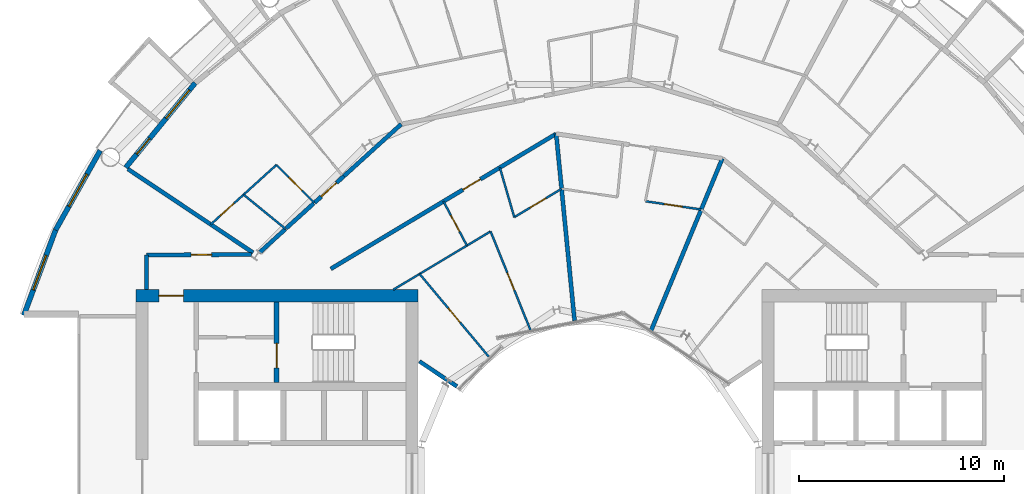
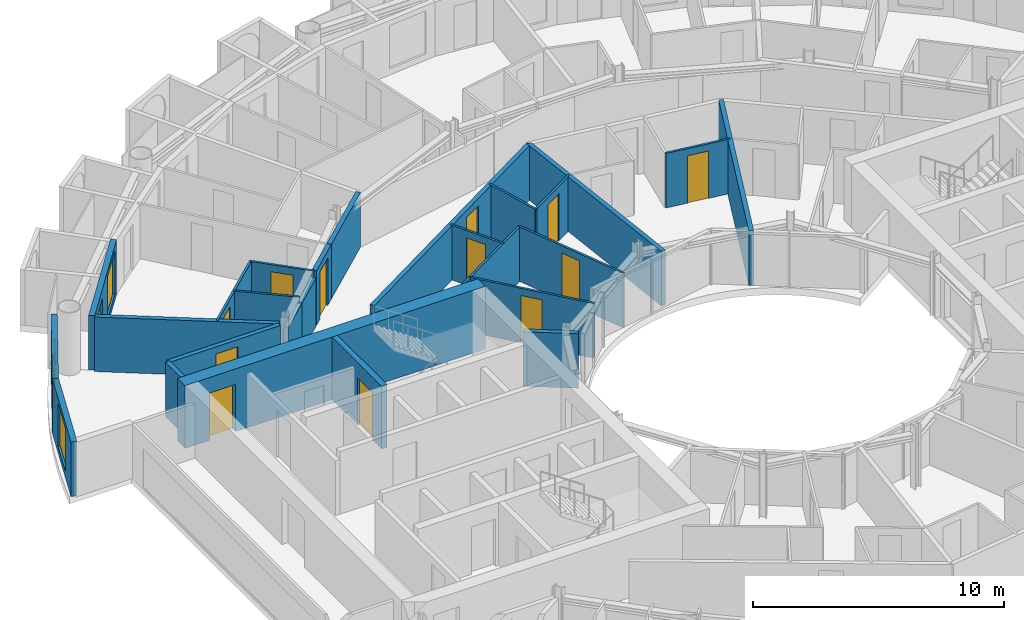
# One storey, part 19 of 27: 26 walls, 13 doors, 3 windows, 16 openings.
"""IFC4 building model written with IfcOpenShell, lengths in metres."""

from ifc_helpers import new_model, si_unit, direction, frame, frame_2d, origin, place, context, subcontext, project, spatial, rectangle, extrude, material, layer, layer_set, type_object, element, fill, save


model = new_model("IFC4")

# Units and contexts
model_context = context("Model", 3, precision=1e-05, world=origin(), true_north=direction((0.0, 1.0)))
body_context = subcontext(model_context, "Body", "Model", "MODEL_VIEW")
ifc_project = project(units=[si_unit("LENGTHUNIT", "METRE"), si_unit("AREAUNIT", "SQUARE_METRE"), si_unit("VOLUMEUNIT", "CUBIC_METRE"), si_unit("PLANEANGLEUNIT", "RADIAN"), si_unit("MASSUNIT", "GRAM", prefix="KILO")], contexts=[model_context])

# Site, building, storey
site_placement = place(None, origin())
site = spatial("IfcSite", under=ifc_project, at=site_placement, CompositionType="ELEMENT")
building_placement = place(site_placement, origin())
building = spatial("IfcBuilding", under=site, at=building_placement, Name="Maasbend Ring Residences", CompositionType="ELEMENT")
storey_placement = place(building_placement, frame((0.0, 0.0, 136.050048828125)))
storey = spatial("IfcBuildingStorey", under=building, at=storey_placement, Name="L39", CompositionType="ELEMENT", Elevation=136.050048828125)

# Wall, opening, door
ifc_material_1 = material(Name="Concrete C60/75", Category="concrete")
ifc_layer_1 = layer(ifc_material_1, 0.25)
ifc_layer_set_1 = layer_set([ifc_layer_1], Name="Concrete C60/75")
wall_type_1 = type_object("IfcWallType", Name="CORE WALL 250 C60/75", PredefinedType="SHEAR", material=ifc_layer_set_1)
wall_1_placement = place(storey_placement, frame((-15.324951171875, 8.60009765625, 0.0), z_axis=(0.0, 0.0, 1.0), x_axis=(0.0, -1.0, 0.0)))
wall_1 = element("IfcWall", 1, at=wall_1_placement, inside=storey, type_object=wall_type_1, Name="L39 core W wall STES", PredefinedType="SHEAR", context=body_context, shape_type="SweptSolid", body=[
    extrude(rectangle(XDim=3.9501953125, YDim=0.25, at=frame_2d((1.97509765625, 0.0))), origin(), (0.0, 0.0, 1.0), 3.050048828125),
])
opening_1_placement = place(wall_1_placement, frame((2.02490234375, 0.0, 0.0)))
opening_1 = element("IfcOpeningElement", 2, at=opening_1_placement, cuts=wall_1, Name="Opening D-W3908", PredefinedType="OPENING", context=body_context, shape_type="SweptSolid", body=[
    extrude(rectangle(XDim=1.199951171875, YDim=2.300048828125, at=frame_2d((0.60009765625, 1.14990234375))), frame((0.0, 0.135009765625, 0.0), z_axis=(0.0, -1.0, 0.0), x_axis=(1.0, 0.0, 0.0)), (0.0, 0.0, 1.0), 0.27001953125),
])
ifc_material_2 = material(Name="Steel, powder coated", Category="steel")
door_type_1 = type_object("IfcDoorType", Name="STAIR DOOR 1200 X 2300 FD60", OperationType="NOTDEFINED", PredefinedType="DOOR", material=ifc_material_2)
door_1_placement = place(opening_1_placement, origin())
door_1 = element("IfcDoor", 3, at=door_1_placement, inside=storey, type_object=door_type_1, Name="Stair door ST-W L39", OperationType="SINGLE_SWING_LEFT", OverallHeight=2.300048828125, OverallWidth=1.199951171875, PredefinedType="DOOR", context=body_context, shape_type="SweptSolid", body=[
    extrude(rectangle(XDim=1.199951171875, YDim=2.300048828125, at=frame_2d((0.60009765625, 1.14990234375))), frame((0.0, 0.02490234375, 0.0), z_axis=(0.0, -1.0, 0.0), x_axis=(1.0, 0.0, 0.0)), (0.0, 0.0, 1.0), 0.050048828125),
])
fill(opening_1, door_1)

ifc_material_3 = material(Name="Concrete C60/75", Category="concrete")
ifc_layer_2 = layer(ifc_material_3, 0.60009765625)
ifc_layer_set_2 = layer_set([ifc_layer_2], Name="Concrete C60/75")
wall_type_2 = type_object("IfcWallType", Name="CORE WALL 600 C60/75", PredefinedType="SHEAR", material=ifc_layer_set_2)
wall_2_placement = place(storey_placement, frame((-8.39990234375, 8.89990234375, 0.0), z_axis=(0.0, 0.0, 1.0), x_axis=(-1.0, 0.0, 0.0)))
wall_2 = element("IfcWall", 4, at=wall_2_placement, inside=storey, type_object=wall_type_2, Name="L39 core W wall PS", PredefinedType="SHEAR", context=body_context, shape_type="SweptSolid", body=[
    extrude(rectangle(XDim=13.800048828125, YDim=0.60009765625, at=frame_2d((6.89990234375, 0.0))), origin(), (0.0, 0.0, 1.0), 3.050048828125),
])
opening_2_placement = place(wall_2_placement, frame((11.47509765625, 0.0, 0.0)))
opening_2 = element("IfcOpeningElement", 5, at=opening_2_placement, cuts=wall_2, Name="Opening D-W3912", PredefinedType="OPENING", context=body_context, shape_type="SweptSolid", body=[
    extrude(rectangle(XDim=1.199951171875, YDim=2.300048828125, at=frame_2d((0.60009765625, 1.14990234375))), frame((0.0, 0.31005859375, 0.0), z_axis=(0.0, -1.0, 0.0), x_axis=(1.0, 0.0, 0.0)), (0.0, 0.0, 1.0), 0.6201171875),
])
ifc_material_4 = material(Name="Steel, powder coated", Category="steel")
door_type_2 = type_object("IfcDoorType", Name="CORRIDOR DOOR 1200 X 2300 FD30S", OperationType="NOTDEFINED", PredefinedType="DOOR", material=ifc_material_4)
door_2_placement = place(opening_2_placement, origin())
door_2 = element("IfcDoor", 6, at=door_2_placement, inside=storey, type_object=door_type_2, Name="Corridor door L39", OperationType="SINGLE_SWING_LEFT", OverallHeight=2.300048828125, OverallWidth=1.199951171875, PredefinedType="DOOR", context=body_context, shape_type="SweptSolid", body=[
    extrude(rectangle(XDim=1.199951171875, YDim=2.300048828125, at=frame_2d((0.60009765625, 1.14990234375))), frame((0.0, 0.02490234375, 0.0), z_axis=(0.0, -1.0, 0.0), x_axis=(1.0, 0.0, 0.0)), (0.0, 0.0, 1.0), 0.050048828125),
])
fill(opening_2, door_2)

ifc_material_5 = material(Name="Concrete C30/37", Category="concrete")
ifc_layer_3 = layer(ifc_material_5, 0.199951171875)
ifc_layer_set_3 = layer_set([ifc_layer_3], Name="Concrete C30/37")
wall_type_3 = type_object("IfcWallType", Name="CORRIDOR WALL 200 CONCRETE", PredefinedType="PARTITIONING", material=ifc_layer_set_3)
wall_3_placement = place(storey_placement, frame((-21.675048828125, 10.89990234375, 0.0), z_axis=(0.0, 0.0, 1.0), x_axis=(0.99999670426, 0.002567385634, 0.0)))
wall_3 = element("IfcWall", 7, at=wall_3_placement, inside=storey, type_object=wall_type_3, Name="U-L39-w098", PredefinedType="PARTITIONING", context=body_context, shape_type="SweptSolid", body=[
    extrude(rectangle(XDim=5.135009765625, YDim=0.199951171875, at=frame_2d((2.5673828125, 0.0))), origin(), (0.0, 0.0, 1.0), 2.64990234375),
])
opening_3_placement = place(wall_3_placement, frame((2.1708984375, 0.0, 0.0)))
opening_3 = element("IfcOpeningElement", 8, at=opening_3_placement, cuts=wall_3, Name="Opening D-3972", PredefinedType="OPENING", context=body_context, shape_type="SweptSolid", body=[
    extrude(rectangle(XDim=1.0, YDim=2.300048828125, at=frame_2d((0.5, 1.14990234375))), frame((0.0, 0.10986328125, 0.0), z_axis=(0.0, -1.0, 0.0), x_axis=(1.0, 0.0, 0.0)), (0.0, 0.0, 1.0), 0.219970703125),
])
ifc_material_6 = material(Name="Timber, painted", Category="wood")
door_type_3 = type_object("IfcDoorType", Name="ROOM DOOR 1000 X 2300", OperationType="NOTDEFINED", PredefinedType="DOOR", material=ifc_material_6)
door_3_placement = place(opening_3_placement, origin())
door_3 = element("IfcDoor", 9, at=door_3_placement, inside=storey, type_object=door_type_3, Name="D-3972", OperationType="SINGLE_SWING_RIGHT", OverallHeight=2.300048828125, OverallWidth=1.0, PredefinedType="DOOR", context=body_context, shape_type="SweptSolid", body=[
    extrude(rectangle(XDim=1.0, YDim=2.300048828125, at=frame_2d((0.5, 1.14990234375))), frame((0.0, 0.02490234375, 0.0), z_axis=(0.0, -1.0, 0.0), x_axis=(1.0, 0.0, 0.0)), (0.0, 0.0, 1.0), 0.050048828125),
])
fill(opening_3, door_3)

wall_4_placement = place(storey_placement, frame((-12.675048828125, 10.215087890625, 0.0), z_axis=(0.0, 0.0, 1.0), x_axis=(0.85772761283, 0.514104407867, 0.0)))
wall_4 = element("IfcWall", 10, at=wall_4_placement, inside=storey, type_object=wall_type_3, Name="U-L39-w106", PredefinedType="PARTITIONING", context=body_context, shape_type="SweptSolid", body=[
    extrude(rectangle(XDim=12.845703125, YDim=0.199951171875, at=frame_2d((6.4228515625, 0.0))), origin(), (0.0, 0.0, 1.0), 2.64990234375),
])
opening_4_placement = place(wall_4_placement, frame((7.529052734375, 0.0, 0.0)))
opening_4 = element("IfcOpeningElement", 11, at=opening_4_placement, cuts=wall_4, Name="Opening D-3931", PredefinedType="OPENING", context=body_context, shape_type="SweptSolid", body=[
    extrude(rectangle(XDim=1.0, YDim=2.300048828125, at=frame_2d((0.5, 1.14990234375))), frame((0.0, 0.10986328125, 0.0), z_axis=(0.0, -1.0, 0.0), x_axis=(1.0, 0.0, 0.0)), (0.0, 0.0, 1.0), 0.219970703125),
])
ifc_material_7 = material(Name="Timber, fire-rated, painted", Category="wood")
door_type_4 = type_object("IfcDoorType", Name="FLAT ENTRANCE DOOR 1000 X 2300 FIRE-RATED", OperationType="NOTDEFINED", PredefinedType="DOOR", material=ifc_material_7)
door_4_placement = place(opening_4_placement, origin())
door_4 = element("IfcDoor", 12, at=door_4_placement, inside=storey, type_object=door_type_4, Name="D-3931", OperationType="SINGLE_SWING_RIGHT", OverallHeight=2.300048828125, OverallWidth=1.0, PredefinedType="DOOR", context=body_context, shape_type="SweptSolid", body=[
    extrude(rectangle(XDim=1.0, YDim=2.300048828125, at=frame_2d((0.5, 1.14990234375))), frame((0.0, 0.02490234375, 0.0), z_axis=(0.0, -1.0, 0.0), x_axis=(1.0, 0.0, 0.0)), (0.0, 0.0, 1.0), 0.050048828125),
])
fill(opening_4, door_4)

# Walls
wall_5_placement = place(storey_placement, frame((-16.178955078125, 10.9951171875, 0.0), z_axis=(0.0, 0.0, 1.0), x_axis=(0.74092608219, 0.671586584687, 0.0)))
element("IfcWall", 13, at=wall_5_placement, inside=storey, type_object=wall_type_3, Name="U-L39-w110", PredefinedType="PARTITIONING", context=body_context, shape_type="SweptSolid", body=[
    extrude(rectangle(XDim=1.746337890625, YDim=0.199951171875, at=frame_2d((0.873046875, 0.0))), origin(), (0.0, 0.0, 1.0), 2.33984375),
])
wall_6_placement = place(storey_placement, frame((-14.85498046875, 12.200927734375, 0.0), z_axis=(0.0, 0.0, 1.0), x_axis=(0.742026993487, 0.670370003011, 0.0)))
element("IfcWall", 14, at=wall_6_placement, inside=storey, type_object=wall_type_3, Name="U-L39-w111", PredefinedType="PARTITIONING", context=body_context, shape_type="SweptSolid", body=[
    extrude(rectangle(XDim=1.8125, YDim=0.199951171875, at=frame_2d((0.90625, 0.0))), origin(), (0.0, 0.0, 1.0), 2.33984375),
])

# Wall, opening, door
wall_7_placement = place(storey_placement, frame((-13.47412109375, 13.447998046875, 0.0), z_axis=(0.0, 0.0, 1.0), x_axis=(0.742096578776, 0.670292971595, 0.0)))
wall_7 = element("IfcWall", 15, at=wall_7_placement, inside=storey, type_object=wall_type_3, Name="U-L39-w112", PredefinedType="PARTITIONING", context=body_context, shape_type="SweptSolid", body=[
    extrude(rectangle(XDim=1.93798828125, YDim=0.199951171875, at=frame_2d((0.968994140625, 0.0))), origin(), (0.0, 0.0, 1.0), 2.64990234375),
])
opening_5_placement = place(wall_7_placement, frame((0.452880859375, 0.0, 0.0)))
opening_5 = element("IfcOpeningElement", 16, at=opening_5_placement, cuts=wall_7, Name="Opening D-3918", PredefinedType="OPENING", context=body_context, shape_type="SweptSolid", body=[
    extrude(rectangle(XDim=1.0, YDim=2.300048828125, at=frame_2d((0.5, 1.14990234375))), frame((0.0, 0.10986328125, 0.0), z_axis=(0.0, -1.0, 0.0), x_axis=(1.0, 0.0, 0.0)), (0.0, 0.0, 1.0), 0.219970703125),
])
door_5_placement = place(opening_5_placement, origin())
door_5 = element("IfcDoor", 17, at=door_5_placement, inside=storey, type_object=door_type_4, Name="D-3918", OperationType="SINGLE_SWING_LEFT", OverallHeight=2.300048828125, OverallWidth=1.0, PredefinedType="DOOR", context=body_context, shape_type="SweptSolid", body=[
    extrude(rectangle(XDim=1.0, YDim=2.300048828125, at=frame_2d((0.5, 1.14990234375))), frame((0.0, 0.02490234375, 0.0), z_axis=(0.0, -1.0, 0.0), x_axis=(1.0, 0.0, 0.0)), (0.0, 0.0, 1.0), 0.050048828125),
])
fill(opening_5, door_5)

# Walls
wall_8_placement = place(storey_placement, frame((-12.055908203125, 14.73095703125, 0.0), z_axis=(0.0, 0.0, 1.0), x_axis=(0.74113339149, 0.671357800296, 0.0)))
element("IfcWall", 18, at=wall_8_placement, inside=storey, type_object=wall_type_3, Name="U-L39-w113", PredefinedType="PARTITIONING", context=body_context, shape_type="SweptSolid", body=[
    extrude(rectangle(XDim=3.810302734375, YDim=0.199951171875, at=frame_2d((1.9052734375, 0.0))), origin(), (0.0, 0.0, 1.0), 2.64990234375),
])
wall_9_placement = place(storey_placement, frame((-21.675048828125, 9.199951171875, 0.0), z_axis=(0.0, 0.0, 1.0), x_axis=(0.0, 1.0, 0.0)))
element("IfcWall", 19, at=wall_9_placement, inside=storey, type_object=wall_type_3, Name="U-L39-w124", PredefinedType="PARTITIONING", context=body_context, shape_type="SweptSolid", body=[
    extrude(rectangle(XDim=1.699951171875, YDim=0.199951171875, at=frame_2d((0.85009765625, 0.0))), origin(), (0.0, 0.0, 1.0), 2.64990234375),
])

# Wall, openings, door, window
ifc_material_8 = material(Name="Aluminium clad insulated panel", Category="aluminium")
ifc_layer_4 = layer(ifc_material_8, 0.25)
ifc_layer_set_4 = layer_set([ifc_layer_4], Name="EW-GL")
wall_type_4 = type_object("IfcWallType", Name="EW-GL", PredefinedType="SOLIDWALL", material=ifc_layer_set_4)
wall_10_placement = place(storey_placement, frame((-19.303955078125, 19.303955078125, 0.0), z_axis=(0.0, 0.0, 1.0), x_axis=(-0.634382322723, -0.773019449054, 0.0)))
wall_10 = element("IfcWall", 20, at=wall_10_placement, inside=storey, type_object=wall_type_4, Name="External wall N10", PredefinedType="SOLIDWALL", context=body_context, shape_type="SweptSolid", body=[
    extrude(rectangle(XDim=5.351806640625, YDim=0.25, at=frame_2d((2.67578125, 0.0))), origin(), (0.0, 0.0, 1.0), 2.64990234375),
])
opening_6_placement = place(wall_10_placement, frame((0.441162109375, 0.0, 0.300048828125)))
opening_6 = element("IfcOpeningElement", 21, at=opening_6_placement, cuts=wall_10, Name="Opening W-BX", PredefinedType="OPENING", context=body_context, shape_type="SweptSolid", body=[
    extrude(rectangle(XDim=1.800048828125, YDim=2.10009765625, at=frame_2d((0.89990234375, 1.050048828125))), frame((0.0, 0.135009765625, 0.0), z_axis=(0.0, -1.0, 0.0), x_axis=(1.0, 0.0, 0.0)), (0.0, 0.0, 1.0), 0.27001953125),
])
opening_7_placement = place(wall_10_placement, frame((3.510498046875, 0.0, 0.0)))
opening_7 = element("IfcOpeningElement", 22, at=opening_7_placement, cuts=wall_10, Name="Opening D-LG", PredefinedType="OPENING", context=body_context, shape_type="SweptSolid", body=[
    extrude(rectangle(XDim=1.0, YDim=2.199951171875, at=frame_2d((0.5, 1.10009765625))), frame((0.0, 0.135009765625, 0.0), z_axis=(0.0, -1.0, 0.0), x_axis=(1.0, 0.0, 0.0)), (0.0, 0.0, 1.0), 0.27001953125),
])
ifc_material_9 = material(Name="Aluminium and clear glass", Category="aluminium")
door_type_5 = type_object("IfcDoorType", Name="D-LG", OperationType="SINGLE_SWING_LEFT", PredefinedType="DOOR", material=ifc_material_9)
door_6_placement = place(opening_7_placement, origin())
door_6 = element("IfcDoor", 23, at=door_6_placement, inside=storey, type_object=door_type_5, Name="Loggia door N20", OperationType="SINGLE_SWING_LEFT", OverallHeight=2.199951171875, OverallWidth=1.0, PredefinedType="DOOR", context=body_context, shape_type="SweptSolid", body=[
    extrude(rectangle(XDim=1.0, YDim=2.199951171875, at=frame_2d((0.5, 1.10009765625))), frame((0.0, 0.02490234375, 0.0), z_axis=(0.0, -1.0, 0.0), x_axis=(1.0, 0.0, 0.0)), (0.0, 0.0, 1.0), 0.050048828125),
])
fill(opening_7, door_6)
ifc_material_10 = material(Name="Aluminium and clear glass", Category="aluminium")
window_type = type_object("IfcWindowType", Name="W-BX", PartitioningType="DOUBLE_PANEL_VERTICAL", PredefinedType="WINDOW", material=ifc_material_10)
window_1_placement = place(opening_6_placement, origin())
window_1 = element("IfcWindow", 24, at=window_1_placement, inside=storey, type_object=window_type, Name="Window N19 room to box", OverallHeight=2.10009765625, OverallWidth=1.800048828125, PartitioningType="SINGLE_PANEL", PredefinedType="WINDOW", context=body_context, shape_type="SweptSolid", body=[
    extrude(rectangle(XDim=1.800048828125, YDim=2.10009765625, at=frame_2d((0.89990234375, 1.050048828125))), frame((0.0, 0.030029296875, 0.0), z_axis=(0.0, -1.0, 0.0), x_axis=(1.0, 0.0, 0.0)), (0.0, 0.0, 1.0), 0.06005859375),
])
fill(opening_6, window_1)

# Wall, opening, window
ifc_material_11 = material(Name="Aluminium clad insulated panel", Category="aluminium")
ifc_layer_5 = layer(ifc_material_11, 0.25)
ifc_layer_set_5 = layer_set([ifc_layer_5], Name="EW-HORN")
wall_type_5 = type_object("IfcWallType", Name="EW-HORN", PredefinedType="SOLIDWALL", material=ifc_layer_set_5)
wall_11_placement = place(storey_placement, frame((-23.946044921875, 16.0, 0.0), z_axis=(0.0, 0.0, 1.0), x_axis=(-0.489696356642, -0.871893042919, 0.0)))
wall_11 = element("IfcWall", 25, at=wall_11_placement, inside=storey, type_object=wall_type_5, Name="Horn wall 4.1", PredefinedType="SOLIDWALL", context=body_context, shape_type="SweptSolid", body=[
    extrude(rectangle(XDim=4.45361328125, YDim=0.25, at=frame_2d((2.226806640625, 0.0))), origin(), (0.0, 0.0, 1.0), 2.64990234375),
])
opening_8_placement = place(wall_11_placement, frame((1.32666015625, 0.0, 0.300048828125)))
opening_8 = element("IfcOpeningElement", 26, at=opening_8_placement, cuts=wall_11, Name="Opening W-BX", PredefinedType="OPENING", context=body_context, shape_type="SweptSolid", body=[
    extrude(rectangle(XDim=1.800048828125, YDim=2.10009765625, at=frame_2d((0.89990234375, 1.050048828125))), frame((0.0, 0.135009765625, 0.0), z_axis=(0.0, -1.0, 0.0), x_axis=(1.0, 0.0, 0.0)), (0.0, 0.0, 1.0), 0.27001953125),
])
window_2_placement = place(opening_8_placement, origin())
window_2 = element("IfcWindow", 27, at=window_2_placement, inside=storey, type_object=window_type, Name="Horn window 4.1", OverallHeight=2.10009765625, OverallWidth=1.800048828125, PartitioningType="SINGLE_PANEL", PredefinedType="WINDOW", context=body_context, shape_type="SweptSolid", body=[
    extrude(rectangle(XDim=1.800048828125, YDim=2.10009765625, at=frame_2d((0.89990234375, 1.050048828125))), frame((0.0, 0.030029296875, 0.0), z_axis=(0.0, -1.0, 0.0), x_axis=(1.0, 0.0, 0.0)), (0.0, 0.0, 1.0), 0.06005859375),
])
fill(opening_8, window_2)

wall_12_placement = place(storey_placement, frame((-26.126953125, 12.116943359375, 0.0), z_axis=(0.0, 0.0, 1.0), x_axis=(-0.349247811493, -0.937030397675, 0.0)))
wall_12 = element("IfcWall", 28, at=wall_12_placement, inside=storey, type_object=wall_type_5, Name="Horn wall 4.2", PredefinedType="SOLIDWALL", context=body_context, shape_type="SweptSolid", body=[
    extrude(rectangle(XDim=4.4521484375, YDim=0.25, at=frame_2d((2.22607421875, 0.0))), origin(), (0.0, 0.0, 1.0), 2.64990234375),
])
opening_9_placement = place(wall_12_placement, frame((1.32666015625, 0.0, 0.300048828125)))
opening_9 = element("IfcOpeningElement", 29, at=opening_9_placement, cuts=wall_12, Name="Opening W-BX", PredefinedType="OPENING", context=body_context, shape_type="SweptSolid", body=[
    extrude(rectangle(XDim=1.800048828125, YDim=2.10009765625, at=frame_2d((0.89990234375, 1.050048828125))), frame((0.0, 0.135009765625, 0.0), z_axis=(0.0, -1.0, 0.0), x_axis=(1.0, 0.0, 0.0)), (0.0, 0.0, 1.0), 0.27001953125),
])
window_3_placement = place(opening_9_placement, origin())
window_3 = element("IfcWindow", 30, at=window_3_placement, inside=storey, type_object=window_type, Name="Horn window 4.2", OverallHeight=2.10009765625, OverallWidth=1.800048828125, PartitioningType="SINGLE_PANEL", PredefinedType="WINDOW", context=body_context, shape_type="SweptSolid", body=[
    extrude(rectangle(XDim=1.800048828125, YDim=2.10009765625, at=frame_2d((0.89990234375, 1.050048828125))), frame((0.0, 0.030029296875, 0.0), z_axis=(0.0, -1.0, 0.0), x_axis=(1.0, 0.0, 0.0)), (0.0, 0.0, 1.0), 0.06005859375),
])
fill(opening_9, window_3)

# Wall
ifc_material_12 = material(Name="Gypsum board on steel studs", Category="steel")
ifc_layer_6 = layer(ifc_material_12, 0.10009765625)
ifc_layer_set_6 = layer_set([ifc_layer_6], Name="PARTITION 100 GYPSUM")
wall_type_6 = type_object("IfcWallType", Name="PARTITION 100 GYPSUM", PredefinedType="PARTITIONING", material=ifc_layer_set_6)
wall_13_placement = place(storey_placement, frame((-16.93603515625, 13.844970703125, 0.0), z_axis=(0.0, 0.0, 1.0), x_axis=(0.774162545943, -0.632986850147, 0.0)))
element("IfcWall", 31, at=wall_13_placement, inside=storey, type_object=wall_type_6, Name="U-L39-w033", PredefinedType="PARTITIONING", context=body_context, shape_type="SweptSolid", body=[
    extrude(rectangle(XDim=2.6494140625, YDim=0.10009765625, at=frame_2d((1.32470703125, 0.0))), origin(), (0.0, 0.0, 1.0), 2.64990234375),
])

# Wall, opening, door
wall_14_placement = place(storey_placement, frame((-15.3330078125, 15.297119140625, 0.0), z_axis=(0.0, 0.0, 1.0), x_axis=(0.707851299421, -0.706361478217, 0.0)))
wall_14 = element("IfcWall", 32, at=wall_14_placement, inside=storey, type_object=wall_type_6, Name="U-L39-w035", PredefinedType="PARTITIONING", context=body_context, shape_type="SweptSolid", body=[
    extrude(rectangle(XDim=2.6220703125, YDim=0.10009765625, at=frame_2d((1.31103515625, 0.0))), origin(), (0.0, 0.0, 1.0), 2.64990234375),
])
opening_10_placement = place(wall_14_placement, frame((0.861083984375, 0.0, 0.0)))
opening_10 = element("IfcOpeningElement", 33, at=opening_10_placement, cuts=wall_14, Name="Opening D-3920", PredefinedType="OPENING", context=body_context, shape_type="SweptSolid", body=[
    extrude(rectangle(XDim=0.89990234375, YDim=2.300048828125, at=frame_2d((0.449951171875, 1.14990234375))), frame((0.0, 0.06005859375, 0.0), z_axis=(0.0, -1.0, 0.0), x_axis=(1.0, 0.0, 0.0)), (0.0, 0.0, 1.0), 0.1201171875),
])
ifc_material_13 = material(Name="Timber, painted", Category="wood")
door_type_6 = type_object("IfcDoorType", Name="INTERNAL DOOR 900 X 2300", OperationType="NOTDEFINED", PredefinedType="DOOR", material=ifc_material_13)
door_7_placement = place(opening_10_placement, origin())
door_7 = element("IfcDoor", 34, at=door_7_placement, inside=storey, type_object=door_type_6, Name="D-3920", OperationType="SINGLE_SWING_RIGHT", OverallHeight=2.300048828125, OverallWidth=0.89990234375, PredefinedType="DOOR", context=body_context, shape_type="SweptSolid", body=[
    extrude(rectangle(XDim=0.89990234375, YDim=2.300048828125, at=frame_2d((0.449951171875, 1.14990234375))), frame((0.0, 0.02490234375, 0.0), z_axis=(0.0, -1.0, 0.0), x_axis=(1.0, 0.0, 0.0)), (0.0, 0.0, 1.0), 0.050048828125),
])
fill(opening_10, door_7)

wall_15_placement = place(storey_placement, frame((-8.3349609375, 9.969970703125, 0.0), z_axis=(0.0, 0.0, 1.0), x_axis=(0.641376424834, -0.767226356213, 0.0)))
wall_15 = element("IfcWall", 35, at=wall_15_placement, inside=storey, type_object=wall_type_6, Name="U-L39-w045", PredefinedType="PARTITIONING", context=body_context, shape_type="SweptSolid", body=[
    extrude(rectangle(XDim=5.274658203125, YDim=0.10009765625, at=frame_2d((2.63720703125, 0.0))), origin(), (0.0, 0.0, 1.0), 2.64990234375),
])
opening_11_placement = place(wall_15_placement, frame((2.18701171875, 0.0, 0.0)))
opening_11 = element("IfcOpeningElement", 36, at=opening_11_placement, cuts=wall_15, Name="Opening D-3935", PredefinedType="OPENING", context=body_context, shape_type="SweptSolid", body=[
    extrude(rectangle(XDim=0.89990234375, YDim=2.300048828125, at=frame_2d((0.449951171875, 1.14990234375))), frame((0.0, 0.06005859375, 0.0), z_axis=(0.0, -1.0, 0.0), x_axis=(1.0, 0.0, 0.0)), (0.0, 0.0, 1.0), 0.1201171875),
])
door_8_placement = place(opening_11_placement, origin())
door_8 = element("IfcDoor", 37, at=door_8_placement, inside=storey, type_object=door_type_6, Name="D-3935", OperationType="SINGLE_SWING_RIGHT", OverallHeight=2.300048828125, OverallWidth=0.89990234375, PredefinedType="DOOR", context=body_context, shape_type="SweptSolid", body=[
    extrude(rectangle(XDim=0.89990234375, YDim=2.300048828125, at=frame_2d((0.449951171875, 1.14990234375))), frame((0.0, 0.02490234375, 0.0), z_axis=(0.0, -1.0, 0.0), x_axis=(1.0, 0.0, 0.0)), (0.0, 0.0, 1.0), 0.050048828125),
])
fill(opening_11, door_8)

wall_16_placement = place(storey_placement, frame((-7.166015625, 13.51708984375, 0.0), z_axis=(0.0, 0.0, 1.0), x_axis=(0.468337293896, -0.883549760425, 0.0)))
wall_16 = element("IfcWall", 38, at=wall_16_placement, inside=storey, type_object=wall_type_6, Name="U-L39-w049", PredefinedType="PARTITIONING", context=body_context, shape_type="SweptSolid", body=[
    extrude(rectangle(XDim=2.44482421875, YDim=0.10009765625, at=frame_2d((1.222412109375, 0.0))), origin(), (0.0, 0.0, 1.0), 2.64990234375),
])
opening_12_placement = place(wall_16_placement, frame((0.77197265625, 0.0, 0.0)))
opening_12 = element("IfcOpeningElement", 39, at=opening_12_placement, cuts=wall_16, Name="Opening D-3933", PredefinedType="OPENING", context=body_context, shape_type="SweptSolid", body=[
    extrude(rectangle(XDim=0.89990234375, YDim=2.300048828125, at=frame_2d((0.449951171875, 1.14990234375))), frame((0.0, 0.06005859375, 0.0), z_axis=(0.0, -1.0, 0.0), x_axis=(1.0, 0.0, 0.0)), (0.0, 0.0, 1.0), 0.1201171875),
])
door_9_placement = place(opening_12_placement, origin())
door_9 = element("IfcDoor", 40, at=door_9_placement, inside=storey, type_object=door_type_6, Name="D-3933", OperationType="SINGLE_SWING_LEFT", OverallHeight=2.300048828125, OverallWidth=0.89990234375, PredefinedType="DOOR", context=body_context, shape_type="SweptSolid", body=[
    extrude(rectangle(XDim=0.89990234375, YDim=2.300048828125, at=frame_2d((0.449951171875, 1.14990234375))), frame((0.0, 0.02490234375, 0.0), z_axis=(0.0, -1.0, 0.0), x_axis=(1.0, 0.0, 0.0)), (0.0, 0.0, 1.0), 0.050048828125),
])
fill(opening_12, door_9)

wall_17_placement = place(storey_placement, frame((-4.864013671875, 12.051025390625, 0.0), z_axis=(0.0, 0.0, 1.0), x_axis=(0.374372761824, -0.927278294367, 0.0)))
wall_17 = element("IfcWall", 41, at=wall_17_placement, inside=storey, type_object=wall_type_6, Name="U-L39-w053", PredefinedType="PARTITIONING", context=body_context, shape_type="SweptSolid", body=[
    extrude(rectangle(XDim=5.275634765625, YDim=0.10009765625, at=frame_2d((2.6376953125, 0.0))), origin(), (0.0, 0.0, 1.0), 2.64990234375),
])
opening_13_placement = place(wall_17_placement, frame((2.18798828125, 0.0, 0.0)))
opening_13 = element("IfcOpeningElement", 42, at=opening_13_placement, cuts=wall_17, Name="Opening D-3934", PredefinedType="OPENING", context=body_context, shape_type="SweptSolid", body=[
    extrude(rectangle(XDim=0.89990234375, YDim=2.300048828125, at=frame_2d((0.449951171875, 1.14990234375))), frame((0.0, 0.06005859375, 0.0), z_axis=(0.0, -1.0, 0.0), x_axis=(1.0, 0.0, 0.0)), (0.0, 0.0, 1.0), 0.1201171875),
])
door_10_placement = place(opening_13_placement, origin())
door_10 = element("IfcDoor", 43, at=door_10_placement, inside=storey, type_object=door_type_6, Name="D-3934", OperationType="SINGLE_SWING_RIGHT", OverallHeight=2.300048828125, OverallWidth=0.89990234375, PredefinedType="DOOR", context=body_context, shape_type="SweptSolid", body=[
    extrude(rectangle(XDim=0.89990234375, YDim=2.300048828125, at=frame_2d((0.449951171875, 1.14990234375))), frame((0.0, 0.02490234375, 0.0), z_axis=(0.0, -1.0, 0.0), x_axis=(1.0, 0.0, 0.0)), (0.0, 0.0, 1.0), 0.050048828125),
])
fill(opening_13, door_10)

# Walls
wall_18_placement = place(storey_placement, frame((-4.410888671875, 15.16796875, 0.0), z_axis=(0.0, 0.0, 1.0), x_axis=(0.279201466266, -0.960232545395, 0.0)))
element("IfcWall", 44, at=wall_18_placement, inside=storey, type_object=wall_type_6, Name="U-L39-w055", PredefinedType="PARTITIONING", context=body_context, shape_type="SweptSolid", body=[
    extrude(rectangle(XDim=2.5244140625, YDim=0.10009765625, at=frame_2d((1.26220703125, 0.0))), origin(), (0.0, 0.0, 1.0), 2.64990234375),
])
wall_19_placement = place(storey_placement, frame((-9.623046875, 9.195068359375, 0.0), z_axis=(0.0, 0.0, 1.0), x_axis=(0.857574416464, 0.514359913122, 0.0)))
element("IfcWall", 45, at=wall_19_placement, inside=storey, type_object=wall_type_6, Name="U-L39-w100", PredefinedType="PARTITIONING", context=body_context, shape_type="SweptSolid", body=[
    extrude(rectangle(XDim=5.550537109375, YDim=0.10009765625, at=frame_2d((2.775390625, 0.0))), origin(), (0.0, 0.0, 1.0), 2.64990234375),
])

# Wall, opening, door
wall_20_placement = place(storey_placement, frame((-3.7060546875, 12.743896484375, 0.0), z_axis=(0.0, 0.0, 1.0), x_axis=(0.857524856518, 0.514442533674, 0.0)))
wall_20 = element("IfcWall", 46, at=wall_20_placement, inside=storey, type_object=wall_type_6, Name="U-L39-w101", PredefinedType="PARTITIONING", context=body_context, shape_type="SweptSolid", body=[
    extrude(rectangle(XDim=2.698486328125, YDim=0.10009765625, at=frame_2d((1.34912109375, 0.0))), origin(), (0.0, 0.0, 1.0), 2.64990234375),
])
opening_14_placement = place(wall_20_placement, frame((0.89892578125, 0.0, 0.0)))
opening_14 = element("IfcOpeningElement", 47, at=opening_14_placement, cuts=wall_20, Name="Opening D-3932", PredefinedType="OPENING", context=body_context, shape_type="SweptSolid", body=[
    extrude(rectangle(XDim=0.89990234375, YDim=2.300048828125, at=frame_2d((0.449951171875, 1.14990234375))), frame((0.0, 0.06005859375, 0.0), z_axis=(0.0, -1.0, 0.0), x_axis=(1.0, 0.0, 0.0)), (0.0, 0.0, 1.0), 0.1201171875),
])
door_11_placement = place(opening_14_placement, origin())
door_11 = element("IfcDoor", 48, at=door_11_placement, inside=storey, type_object=door_type_6, Name="D-3932", OperationType="SINGLE_SWING_RIGHT", OverallHeight=2.300048828125, OverallWidth=0.89990234375, PredefinedType="DOOR", context=body_context, shape_type="SweptSolid", body=[
    extrude(rectangle(XDim=0.89990234375, YDim=2.300048828125, at=frame_2d((0.449951171875, 1.14990234375))), frame((0.0, 0.02490234375, 0.0), z_axis=(0.0, -1.0, 0.0), x_axis=(1.0, 0.0, 0.0)), (0.0, 0.0, 1.0), 0.050048828125),
])
fill(opening_14, door_11)

wall_21_placement = place(storey_placement, frame((2.70703125, 13.52294921875, 0.0), z_axis=(0.0, 0.0, 1.0), x_axis=(0.98916494308, -0.146808430897, 0.0)))
wall_21 = element("IfcWall", 49, at=wall_21_placement, inside=storey, type_object=wall_type_6, Name="U-L39-w105", PredefinedType="PARTITIONING", context=body_context, shape_type="SweptSolid", body=[
    extrude(rectangle(XDim=2.7587890625, YDim=0.10009765625, at=frame_2d((1.37939453125, 0.0))), origin(), (0.0, 0.0, 1.0), 2.64990234375),
])
opening_15_placement = place(wall_21_placement, frame((0.927001953125, 0.0, 0.0)))
opening_15 = element("IfcOpeningElement", 50, at=opening_15_placement, cuts=wall_21, Name="Opening D-3929", PredefinedType="OPENING", context=body_context, shape_type="SweptSolid", body=[
    extrude(rectangle(XDim=0.89990234375, YDim=2.300048828125, at=frame_2d((0.449951171875, 1.14990234375))), frame((0.0, 0.06005859375, 0.0), z_axis=(0.0, -1.0, 0.0), x_axis=(1.0, 0.0, 0.0)), (0.0, 0.0, 1.0), 0.1201171875),
])
door_12_placement = place(opening_15_placement, origin())
door_12 = element("IfcDoor", 51, at=door_12_placement, inside=storey, type_object=door_type_6, Name="D-3929", OperationType="SINGLE_SWING_LEFT", OverallHeight=2.300048828125, OverallWidth=0.89990234375, PredefinedType="DOOR", context=body_context, shape_type="SweptSolid", body=[
    extrude(rectangle(XDim=0.89990234375, YDim=2.300048828125, at=frame_2d((0.449951171875, 1.14990234375))), frame((0.0, 0.02490234375, 0.0), z_axis=(0.0, -1.0, 0.0), x_axis=(1.0, 0.0, 0.0)), (0.0, 0.0, 1.0), 0.050048828125),
])
fill(opening_15, door_12)

wall_22_placement = place(storey_placement, frame((-18.5400390625, 12.39208984375, 0.0), z_axis=(0.0, 0.0, 1.0), x_axis=(0.741109646243, 0.671384012504, 0.0)))
wall_22 = element("IfcWall", 52, at=wall_22_placement, inside=storey, type_object=wall_type_6, Name="U-L39-w119", PredefinedType="PARTITIONING", context=body_context, shape_type="SweptSolid", body=[
    extrude(rectangle(XDim=4.331298828125, YDim=0.10009765625, at=frame_2d((2.16552734375, 0.0))), origin(), (0.0, 0.0, 1.0), 2.64990234375),
])
opening_16_placement = place(wall_22_placement, frame((0.62890625, 0.0, 0.0)))
opening_16 = element("IfcOpeningElement", 53, at=opening_16_placement, cuts=wall_22, Name="Opening D-3919", PredefinedType="OPENING", context=body_context, shape_type="SweptSolid", body=[
    extrude(rectangle(XDim=0.89990234375, YDim=2.300048828125, at=frame_2d((0.449951171875, 1.14990234375))), frame((0.0, 0.06005859375, 0.0), z_axis=(0.0, -1.0, 0.0), x_axis=(1.0, 0.0, 0.0)), (0.0, 0.0, 1.0), 0.1201171875),
])
door_13_placement = place(opening_16_placement, origin())
door_13 = element("IfcDoor", 54, at=door_13_placement, inside=storey, type_object=door_type_6, Name="D-3919", OperationType="SINGLE_SWING_LEFT", OverallHeight=2.300048828125, OverallWidth=0.89990234375, PredefinedType="DOOR", context=body_context, shape_type="SweptSolid", body=[
    extrude(rectangle(XDim=0.89990234375, YDim=2.300048828125, at=frame_2d((0.449951171875, 1.14990234375))), frame((0.0, 0.02490234375, 0.0), z_axis=(0.0, -1.0, 0.0), x_axis=(1.0, 0.0, 0.0)), (0.0, 0.0, 1.0), 0.050048828125),
])
fill(opening_16, door_13)

# Walls
ifc_material_14 = material(Name="Concrete C30/37", Category="concrete")
ifc_layer_7 = layer(ifc_material_14, 0.199951171875)
ifc_layer_set_7 = layer_set([ifc_layer_7], Name="Concrete C30/37")
wall_type_7 = type_object("IfcWallType", Name="PARTY WALL 200 CONCRETE", PredefinedType="PARTITIONING", material=ifc_layer_set_7)
wall_23_placement = place(storey_placement, frame((-22.594970703125, 15.097900390625, 0.0), z_axis=(0.0, 0.0, 1.0), x_axis=(0.831406593008, -0.555664536482, 0.0)))
element("IfcWall", 55, at=wall_23_placement, inside=storey, type_object=wall_type_7, Name="U-L39-w030", PredefinedType="PARTITIONING", context=body_context, shape_type="SweptSolid", body=[
    extrude(rectangle(XDim=7.3583984375, YDim=0.199951171875, at=frame_2d((3.67919921875, 0.0))), origin(), (0.0, 0.0, 1.0), 2.64990234375),
])
wall_24_placement = place(storey_placement, frame((-1.656005859375, 16.819091796875, 0.0), z_axis=(0.0, 0.0, 1.0), x_axis=(0.097815726767, -0.995204543597, 0.0)))
element("IfcWall", 56, at=wall_24_placement, inside=storey, type_object=wall_type_7, Name="U-L39-w061", PredefinedType="PARTITIONING", context=body_context, shape_type="SweptSolid", body=[
    extrude(rectangle(XDim=9.179931640625, YDim=0.199951171875, at=frame_2d((4.58984375, 0.0))), origin(), (0.0, 0.0, 1.0), 2.64990234375),
])
wall_25_placement = place(storey_placement, frame((2.955078125, 7.132080078125, 0.0), z_axis=(0.0, 0.0, 1.0), x_axis=(0.382556139466, 0.923932248683, 0.0)))
element("IfcWall", 57, at=wall_25_placement, inside=storey, type_object=wall_type_7, Name="U-L39-w071", PredefinedType="PARTITIONING", context=body_context, shape_type="SweptSolid", body=[
    extrude(rectangle(XDim=9.18017578125, YDim=0.199951171875, at=frame_2d((4.590087890625, 0.0))), origin(), (0.0, 0.0, 1.0), 2.64990234375),
])
wall_26_placement = place(storey_placement, frame((-6.512939453125, 4.471923828125, 0.0), z_axis=(0.0, 0.0, 1.0), x_axis=(-0.831333375071, 0.555774072347, 0.0)))
element("IfcWall", 58, at=wall_26_placement, inside=storey, type_object=wall_type_7, Name="U-L39-w096", PredefinedType="PARTITIONING", context=body_context, shape_type="SweptSolid", body=[
    extrude(rectangle(XDim=2.20263671875, YDim=0.199951171875, at=frame_2d((1.101318359375, 0.0))), origin(), (0.0, 0.0, 1.0), 2.64990234375),
])

save(model, "model.ifc")
